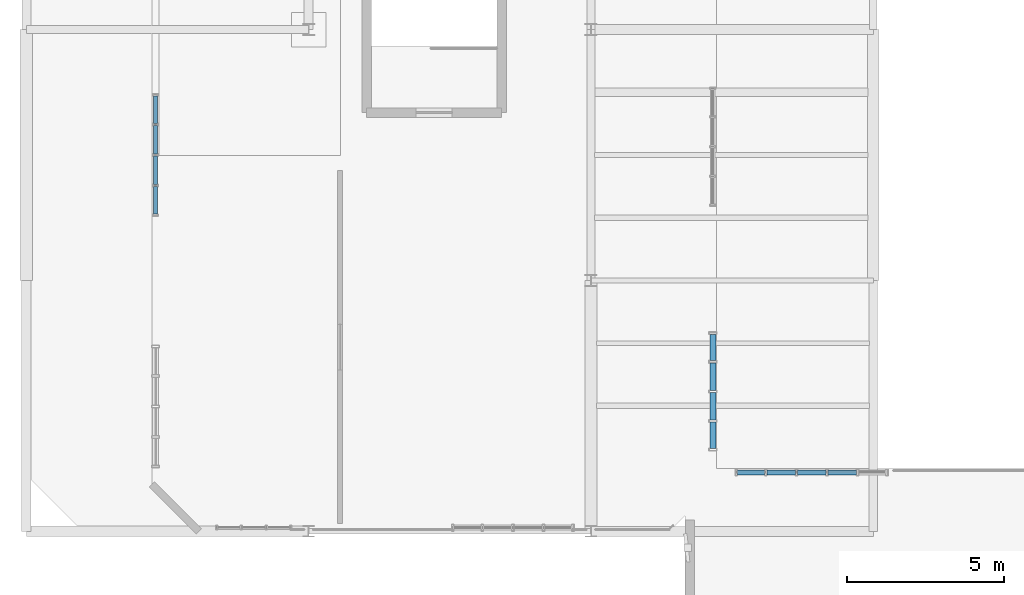
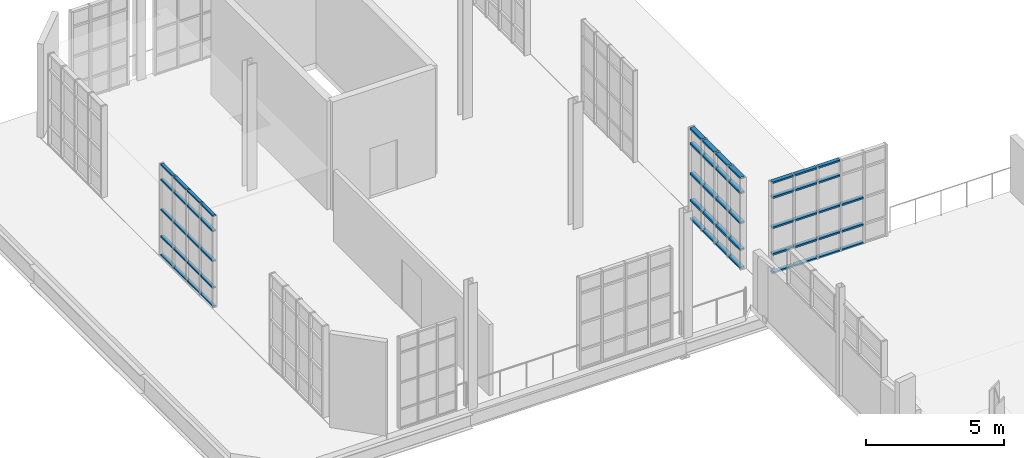
# One storey, part 24 of 36: 58 members, 3 elements without a shape of their own.
"""IFC4 building model written with IfcOpenShell, lengths in metres."""

from ifc_helpers import new_model, si_unit, direction, frame, origin, origin_2d, place, context, subcontext, project, spatial, hollow_rectangle, extrude, material, layer, layer_set, material_profile, profile_set, type_object, element, aggregate, save


model = new_model("IFC4")

# Units and contexts
model_context = context("Model", 3, precision=1e-05, world=origin(), true_north=direction((0.0, 1.0)))
body_context = subcontext(model_context, "Body", "Model", "MODEL_VIEW")
ifc_project = project(units=[si_unit("LENGTHUNIT", "METRE"), si_unit("AREAUNIT", "SQUARE_METRE"), si_unit("VOLUMEUNIT", "CUBIC_METRE"), si_unit("PLANEANGLEUNIT", "RADIAN"), si_unit("MASSUNIT", "GRAM", prefix="KILO"), si_unit("THERMODYNAMICTEMPERATUREUNIT", "KELVIN"), si_unit("POWERUNIT", "WATT")], contexts=[model_context])

# Site, building, storey
site_placement = place(None, origin())
site = spatial("IfcSite", under=ifc_project, at=site_placement, CompositionType="ELEMENT")
building_placement = place(site_placement, origin())
building = spatial("IfcBuilding", under=site, at=building_placement, Name="Zelmaris Science Centre", CompositionType="ELEMENT")
storey_placement = place(building_placement, frame((0.0, 0.0, 25.199951171875)))
storey = spatial("IfcBuildingStorey", under=building, at=storey_placement, Name="L05", CompositionType="ELEMENT", Elevation=25.199951171875)

# Curtain wall, members
ifc_material = material(Name="Anodised architectural aluminium 6063-T6", Category="aluminium")
ifc_layer_1 = layer(ifc_material, 0.2099609375, Name="Anodised architectural aluminium 6063-T6")
ifc_layer_set_1 = layer_set([ifc_layer_1], Name="Anodised architectural aluminium 6063-T6")
curtain_wall_type_1 = type_object("IfcCurtainWallType", Name="Curtain Wall CW-03", PredefinedType="USERDEFINED", material=ifc_layer_set_1)
curtain_wall_1_placement = place(storey_placement, origin())
curtain_wall_1 = element("IfcCurtainWall", 1, at=curtain_wall_1_placement, inside=storey, type_object=curtain_wall_type_1, Name="L05 Unitised curtain wall 379", ObjectType="GLAZED CURTAIN WALL", PredefinedType="USERDEFINED")
ifc_material_profile_1 = material_profile(ifc_material, hollow_rectangle(XDim=0.06494140625, YDim=0.1298828125, WallThickness=0.00341796875, at=origin_2d()), Name="ALU-TRN-65X130")
ifc_profile_set_1 = profile_set([ifc_material_profile_1], Name="Anodised architectural aluminium 6063-T6")
member_type_1 = type_object("IfcMemberType", Name="ALU-TRN-65X130", PredefinedType="USERDEFINED", material=ifc_profile_set_1)
member_1_placement = place(storey_placement, frame((58.1201171875, 74.1123046875, 0.013427734375), z_axis=(0.0, 1.0, 0.0), x_axis=(0.0, 0.0, 1.0)))
member_1 = element("IfcMember", 2, at=member_1_placement, type_object=member_type_1, Name="CW-03 transom 1.1", ObjectType="TRANSOM", PredefinedType="USERDEFINED", context=body_context, shape_type="SweptSolid", body=[
    extrude(hollow_rectangle(XDim=0.06494140625, YDim=0.1298828125, WallThickness=0.00341796875, at=origin_2d()), origin(), (0.0, 0.0, 1.0), 0.886474609375),
])
member_2_placement = place(storey_placement, frame((58.1201171875, 74.1123046875, 0.8349609375), z_axis=(0.0, 1.0, 0.0), x_axis=(0.0, 0.0, 1.0)))
member_2 = element("IfcMember", 3, at=member_2_placement, type_object=member_type_1, Name="CW-03 transom 1.2", ObjectType="TRANSOM", PredefinedType="USERDEFINED", context=body_context, shape_type="SweptSolid", body=[
    extrude(hollow_rectangle(XDim=0.06494140625, YDim=0.1298828125, WallThickness=0.00341796875, at=origin_2d()), origin(), (0.0, 0.0, 1.0), 0.886474609375),
])
member_3_placement = place(storey_placement, frame((58.1201171875, 74.1123046875, 2.012451171875), z_axis=(0.0, 1.0, 0.0), x_axis=(0.0, 0.0, 1.0)))
member_3 = element("IfcMember", 4, at=member_3_placement, type_object=member_type_1, Name="CW-03 transom 1.3", ObjectType="TRANSOM", PredefinedType="USERDEFINED", context=body_context, shape_type="SweptSolid", body=[
    extrude(hollow_rectangle(XDim=0.06494140625, YDim=0.1298828125, WallThickness=0.00341796875, at=origin_2d()), origin(), (0.0, 0.0, 1.0), 0.886474609375),
])
member_4_placement = place(storey_placement, frame((58.1201171875, 74.1123046875, 3.340087890625), z_axis=(0.0, 1.0, 0.0), x_axis=(0.0, 0.0, 1.0)))
member_4 = element("IfcMember", 5, at=member_4_placement, type_object=member_type_1, Name="CW-03 transom 1.4", ObjectType="TRANSOM", PredefinedType="USERDEFINED", context=body_context, shape_type="SweptSolid", body=[
    extrude(hollow_rectangle(XDim=0.06494140625, YDim=0.1298828125, WallThickness=0.00341796875, at=origin_2d()), origin(), (0.0, 0.0, 1.0), 0.886474609375),
])
member_5_placement = place(storey_placement, frame((58.1201171875, 74.1123046875, 4.011474609375), z_axis=(0.0, 1.0, 0.0), x_axis=(0.0, 0.0, 1.0)))
member_5 = element("IfcMember", 6, at=member_5_placement, type_object=member_type_1, Name="CW-03 transom 1.5", ObjectType="TRANSOM", PredefinedType="USERDEFINED", context=body_context, shape_type="SweptSolid", body=[
    extrude(hollow_rectangle(XDim=0.06494140625, YDim=0.1298828125, WallThickness=0.00341796875, at=origin_2d()), origin(), (0.0, 0.0, 1.0), 0.886474609375),
])
member_6_placement = place(storey_placement, frame((58.1201171875, 75.055908203125, 0.013427734375), z_axis=(0.0, 1.0, 0.0), x_axis=(0.0, 0.0, 1.0)))
member_6 = element("IfcMember", 7, at=member_6_placement, type_object=member_type_1, Name="CW-03 transom 2.1", ObjectType="TRANSOM", PredefinedType="USERDEFINED", context=body_context, shape_type="SweptSolid", body=[
    extrude(hollow_rectangle(XDim=0.06494140625, YDim=0.1298828125, WallThickness=0.00341796875, at=origin_2d()), origin(), (0.0, 0.0, 1.0), 0.914794921875),
])
member_7_placement = place(storey_placement, frame((58.1201171875, 75.055908203125, 0.8349609375), z_axis=(0.0, 1.0, 0.0), x_axis=(0.0, 0.0, 1.0)))
member_7 = element("IfcMember", 8, at=member_7_placement, type_object=member_type_1, Name="CW-03 transom 2.2", ObjectType="TRANSOM", PredefinedType="USERDEFINED", context=body_context, shape_type="SweptSolid", body=[
    extrude(hollow_rectangle(XDim=0.06494140625, YDim=0.1298828125, WallThickness=0.00341796875, at=origin_2d()), origin(), (0.0, 0.0, 1.0), 0.914794921875),
])
member_8_placement = place(storey_placement, frame((58.1201171875, 75.055908203125, 2.012451171875), z_axis=(0.0, 1.0, 0.0), x_axis=(0.0, 0.0, 1.0)))
member_8 = element("IfcMember", 9, at=member_8_placement, type_object=member_type_1, Name="CW-03 transom 2.3", ObjectType="TRANSOM", PredefinedType="USERDEFINED", context=body_context, shape_type="SweptSolid", body=[
    extrude(hollow_rectangle(XDim=0.06494140625, YDim=0.1298828125, WallThickness=0.00341796875, at=origin_2d()), origin(), (0.0, 0.0, 1.0), 0.914794921875),
])
member_9_placement = place(storey_placement, frame((58.1201171875, 75.055908203125, 3.340087890625), z_axis=(0.0, 1.0, 0.0), x_axis=(0.0, 0.0, 1.0)))
member_9 = element("IfcMember", 10, at=member_9_placement, type_object=member_type_1, Name="CW-03 transom 2.4", ObjectType="TRANSOM", PredefinedType="USERDEFINED", context=body_context, shape_type="SweptSolid", body=[
    extrude(hollow_rectangle(XDim=0.06494140625, YDim=0.1298828125, WallThickness=0.00341796875, at=origin_2d()), origin(), (0.0, 0.0, 1.0), 0.914794921875),
])
member_10_placement = place(storey_placement, frame((58.1201171875, 75.055908203125, 4.011474609375), z_axis=(0.0, 1.0, 0.0), x_axis=(0.0, 0.0, 1.0)))
member_10 = element("IfcMember", 11, at=member_10_placement, type_object=member_type_1, Name="CW-03 transom 2.5", ObjectType="TRANSOM", PredefinedType="USERDEFINED", context=body_context, shape_type="SweptSolid", body=[
    extrude(hollow_rectangle(XDim=0.06494140625, YDim=0.1298828125, WallThickness=0.00341796875, at=origin_2d()), origin(), (0.0, 0.0, 1.0), 0.914794921875),
])
member_11_placement = place(storey_placement, frame((58.1201171875, 76.02783203125, 0.013427734375), z_axis=(0.0, 1.0, 0.0), x_axis=(0.0, 0.0, 1.0)))
member_11 = element("IfcMember", 12, at=member_11_placement, type_object=member_type_1, Name="CW-03 transom 3.1", ObjectType="TRANSOM", PredefinedType="USERDEFINED", context=body_context, shape_type="SweptSolid", body=[
    extrude(hollow_rectangle(XDim=0.06494140625, YDim=0.1298828125, WallThickness=0.00341796875, at=origin_2d()), origin(), (0.0, 0.0, 1.0), 0.914794921875),
])
member_12_placement = place(storey_placement, frame((58.1201171875, 76.02783203125, 0.8349609375), z_axis=(0.0, 1.0, 0.0), x_axis=(0.0, 0.0, 1.0)))
member_12 = element("IfcMember", 13, at=member_12_placement, type_object=member_type_1, Name="CW-03 transom 3.2", ObjectType="TRANSOM", PredefinedType="USERDEFINED", context=body_context, shape_type="SweptSolid", body=[
    extrude(hollow_rectangle(XDim=0.06494140625, YDim=0.1298828125, WallThickness=0.00341796875, at=origin_2d()), origin(), (0.0, 0.0, 1.0), 0.914794921875),
])
member_13_placement = place(storey_placement, frame((58.1201171875, 76.02783203125, 2.012451171875), z_axis=(0.0, 1.0, 0.0), x_axis=(0.0, 0.0, 1.0)))
member_13 = element("IfcMember", 14, at=member_13_placement, type_object=member_type_1, Name="CW-03 transom 3.3", ObjectType="TRANSOM", PredefinedType="USERDEFINED", context=body_context, shape_type="SweptSolid", body=[
    extrude(hollow_rectangle(XDim=0.06494140625, YDim=0.1298828125, WallThickness=0.00341796875, at=origin_2d()), origin(), (0.0, 0.0, 1.0), 0.914794921875),
])
member_14_placement = place(storey_placement, frame((58.1201171875, 76.02783203125, 3.340087890625), z_axis=(0.0, 1.0, 0.0), x_axis=(0.0, 0.0, 1.0)))
member_14 = element("IfcMember", 15, at=member_14_placement, type_object=member_type_1, Name="CW-03 transom 3.4", ObjectType="TRANSOM", PredefinedType="USERDEFINED", context=body_context, shape_type="SweptSolid", body=[
    extrude(hollow_rectangle(XDim=0.06494140625, YDim=0.1298828125, WallThickness=0.00341796875, at=origin_2d()), origin(), (0.0, 0.0, 1.0), 0.914794921875),
])
member_15_placement = place(storey_placement, frame((58.1201171875, 76.02783203125, 4.011474609375), z_axis=(0.0, 1.0, 0.0), x_axis=(0.0, 0.0, 1.0)))
member_15 = element("IfcMember", 16, at=member_15_placement, type_object=member_type_1, Name="CW-03 transom 3.5", ObjectType="TRANSOM", PredefinedType="USERDEFINED", context=body_context, shape_type="SweptSolid", body=[
    extrude(hollow_rectangle(XDim=0.06494140625, YDim=0.1298828125, WallThickness=0.00341796875, at=origin_2d()), origin(), (0.0, 0.0, 1.0), 0.914794921875),
])
member_16_placement = place(storey_placement, frame((58.1201171875, 76.999755859375, 0.013427734375), z_axis=(0.0, 1.0, 0.0), x_axis=(0.0, 0.0, 1.0)))
member_16 = element("IfcMember", 17, at=member_16_placement, type_object=member_type_1, Name="CW-03 transom 4.1", ObjectType="TRANSOM", PredefinedType="USERDEFINED", context=body_context, shape_type="SweptSolid", body=[
    extrude(hollow_rectangle(XDim=0.06494140625, YDim=0.1298828125, WallThickness=0.00341796875, at=origin_2d()), origin(), (0.0, 0.0, 1.0), 0.88623046875),
])
member_17_placement = place(storey_placement, frame((58.1201171875, 76.999755859375, 0.8349609375), z_axis=(0.0, 1.0, 0.0), x_axis=(0.0, 0.0, 1.0)))
member_17 = element("IfcMember", 18, at=member_17_placement, type_object=member_type_1, Name="CW-03 transom 4.2", ObjectType="TRANSOM", PredefinedType="USERDEFINED", context=body_context, shape_type="SweptSolid", body=[
    extrude(hollow_rectangle(XDim=0.06494140625, YDim=0.1298828125, WallThickness=0.00341796875, at=origin_2d()), origin(), (0.0, 0.0, 1.0), 0.88623046875),
])
member_18_placement = place(storey_placement, frame((58.1201171875, 76.999755859375, 2.012451171875), z_axis=(0.0, 1.0, 0.0), x_axis=(0.0, 0.0, 1.0)))
member_18 = element("IfcMember", 19, at=member_18_placement, type_object=member_type_1, Name="CW-03 transom 4.3", ObjectType="TRANSOM", PredefinedType="USERDEFINED", context=body_context, shape_type="SweptSolid", body=[
    extrude(hollow_rectangle(XDim=0.06494140625, YDim=0.1298828125, WallThickness=0.00341796875, at=origin_2d()), origin(), (0.0, 0.0, 1.0), 0.88623046875),
])
member_19_placement = place(storey_placement, frame((58.1201171875, 76.999755859375, 3.340087890625), z_axis=(0.0, 1.0, 0.0), x_axis=(0.0, 0.0, 1.0)))
member_19 = element("IfcMember", 20, at=member_19_placement, type_object=member_type_1, Name="CW-03 transom 4.4", ObjectType="TRANSOM", PredefinedType="USERDEFINED", context=body_context, shape_type="SweptSolid", body=[
    extrude(hollow_rectangle(XDim=0.06494140625, YDim=0.1298828125, WallThickness=0.00341796875, at=origin_2d()), origin(), (0.0, 0.0, 1.0), 0.88623046875),
])
member_20_placement = place(storey_placement, frame((58.1201171875, 76.999755859375, 4.011474609375), z_axis=(0.0, 1.0, 0.0), x_axis=(0.0, 0.0, 1.0)))
member_20 = element("IfcMember", 21, at=member_20_placement, type_object=member_type_1, Name="CW-03 transom 4.5", ObjectType="TRANSOM", PredefinedType="USERDEFINED", context=body_context, shape_type="SweptSolid", body=[
    extrude(hollow_rectangle(XDim=0.06494140625, YDim=0.1298828125, WallThickness=0.00341796875, at=origin_2d()), origin(), (0.0, 0.0, 1.0), 0.88623046875),
])
aggregate(curtain_wall_1, [member_1, member_2, member_3, member_4, member_5, member_6, member_7, member_8, member_9, member_10, member_11, member_12, member_13, member_14, member_15, member_16, member_17, member_18, member_19, member_20])

ifc_layer_2 = layer(ifc_material, 0.199951171875, Name="Anodised architectural aluminium 6063-T6")
ifc_layer_set_2 = layer_set([ifc_layer_2], Name="Anodised architectural aluminium 6063-T6")
curtain_wall_type_2 = type_object("IfcCurtainWallType", Name="Curtain Wall CW-02", PredefinedType="USERDEFINED", material=ifc_layer_set_2)
curtain_wall_2_placement = place(storey_placement, origin())
curtain_wall_2 = element("IfcCurtainWall", 22, at=curtain_wall_2_placement, inside=storey, type_object=curtain_wall_type_2, Name="L05 Unitised curtain wall 366", ObjectType="GLAZED CURTAIN WALL", PredefinedType="USERDEFINED")
ifc_material_profile_2 = material_profile(ifc_material, hollow_rectangle(XDim=0.074951171875, YDim=0.159912109375, WallThickness=0.00390625, at=origin_2d()), Name="ALU-TRN-75X160")
ifc_profile_set_2 = profile_set([ifc_material_profile_2], Name="Anodised architectural aluminium 6063-T6")
member_type_2 = type_object("IfcMemberType", Name="ALU-TRN-75X160", PredefinedType="USERDEFINED", material=ifc_profile_set_2)
member_21_placement = place(storey_placement, frame((76.6669921875, 65.8798828125, 0.0185546875), z_axis=(1.0, 0.0, 0.0), x_axis=(0.0, 0.0, 1.0)))
member_21 = element("IfcMember", 23, at=member_21_placement, type_object=member_type_2, Name="CW-02 transom 1.1", ObjectType="TRANSOM", PredefinedType="USERDEFINED", context=body_context, shape_type="SweptSolid", body=[
    extrude(hollow_rectangle(XDim=0.074951171875, YDim=0.159912109375, WallThickness=0.00390625, at=origin_2d()), origin(), (0.0, 0.0, 1.0), 0.87353515625),
])
member_22_placement = place(storey_placement, frame((76.6669921875, 65.8798828125, 0.8349609375), z_axis=(1.0, 0.0, 0.0), x_axis=(0.0, 0.0, 1.0)))
member_22 = element("IfcMember", 24, at=member_22_placement, type_object=member_type_2, Name="CW-02 transom 1.2", ObjectType="TRANSOM", PredefinedType="USERDEFINED", context=body_context, shape_type="SweptSolid", body=[
    extrude(hollow_rectangle(XDim=0.074951171875, YDim=0.159912109375, WallThickness=0.00390625, at=origin_2d()), origin(), (0.0, 0.0, 1.0), 0.87353515625),
])
member_23_placement = place(storey_placement, frame((76.6669921875, 65.8798828125, 2.012451171875), z_axis=(1.0, 0.0, 0.0), x_axis=(0.0, 0.0, 1.0)))
member_23 = element("IfcMember", 25, at=member_23_placement, type_object=member_type_2, Name="CW-02 transom 1.3", ObjectType="TRANSOM", PredefinedType="USERDEFINED", context=body_context, shape_type="SweptSolid", body=[
    extrude(hollow_rectangle(XDim=0.074951171875, YDim=0.159912109375, WallThickness=0.00390625, at=origin_2d()), origin(), (0.0, 0.0, 1.0), 0.87353515625),
])
member_24_placement = place(storey_placement, frame((76.6669921875, 65.8798828125, 3.340087890625), z_axis=(1.0, 0.0, 0.0), x_axis=(0.0, 0.0, 1.0)))
member_24 = element("IfcMember", 26, at=member_24_placement, type_object=member_type_2, Name="CW-02 transom 1.4", ObjectType="TRANSOM", PredefinedType="USERDEFINED", context=body_context, shape_type="SweptSolid", body=[
    extrude(hollow_rectangle(XDim=0.074951171875, YDim=0.159912109375, WallThickness=0.00390625, at=origin_2d()), origin(), (0.0, 0.0, 1.0), 0.87353515625),
])
member_25_placement = place(storey_placement, frame((76.6669921875, 65.8798828125, 4.006591796875), z_axis=(1.0, 0.0, 0.0), x_axis=(0.0, 0.0, 1.0)))
member_25 = element("IfcMember", 27, at=member_25_placement, type_object=member_type_2, Name="CW-02 transom 1.5", ObjectType="TRANSOM", PredefinedType="USERDEFINED", context=body_context, shape_type="SweptSolid", body=[
    extrude(hollow_rectangle(XDim=0.074951171875, YDim=0.159912109375, WallThickness=0.00390625, at=origin_2d()), origin(), (0.0, 0.0, 1.0), 0.87353515625),
])
member_26_placement = place(storey_placement, frame((77.607421875, 65.8798828125, 0.0185546875), z_axis=(1.0, 0.0, 0.0), x_axis=(0.0, 0.0, 1.0)))
member_26 = element("IfcMember", 28, at=member_26_placement, type_object=member_type_2, Name="CW-02 transom 2.1", ObjectType="TRANSOM", PredefinedType="USERDEFINED", context=body_context, shape_type="SweptSolid", body=[
    extrude(hollow_rectangle(XDim=0.074951171875, YDim=0.159912109375, WallThickness=0.00390625, at=origin_2d()), origin(), (0.0, 0.0, 1.0), 0.906982421875),
])
member_27_placement = place(storey_placement, frame((77.607421875, 65.8798828125, 0.8349609375), z_axis=(1.0, 0.0, 0.0), x_axis=(0.0, 0.0, 1.0)))
member_27 = element("IfcMember", 29, at=member_27_placement, type_object=member_type_2, Name="CW-02 transom 2.2", ObjectType="TRANSOM", PredefinedType="USERDEFINED", context=body_context, shape_type="SweptSolid", body=[
    extrude(hollow_rectangle(XDim=0.074951171875, YDim=0.159912109375, WallThickness=0.00390625, at=origin_2d()), origin(), (0.0, 0.0, 1.0), 0.906982421875),
])
member_28_placement = place(storey_placement, frame((77.607421875, 65.8798828125, 2.012451171875), z_axis=(1.0, 0.0, 0.0), x_axis=(0.0, 0.0, 1.0)))
member_28 = element("IfcMember", 30, at=member_28_placement, type_object=member_type_2, Name="CW-02 transom 2.3", ObjectType="TRANSOM", PredefinedType="USERDEFINED", context=body_context, shape_type="SweptSolid", body=[
    extrude(hollow_rectangle(XDim=0.074951171875, YDim=0.159912109375, WallThickness=0.00390625, at=origin_2d()), origin(), (0.0, 0.0, 1.0), 0.906982421875),
])
member_29_placement = place(storey_placement, frame((77.607421875, 65.8798828125, 3.340087890625), z_axis=(1.0, 0.0, 0.0), x_axis=(0.0, 0.0, 1.0)))
member_29 = element("IfcMember", 31, at=member_29_placement, type_object=member_type_2, Name="CW-02 transom 2.4", ObjectType="TRANSOM", PredefinedType="USERDEFINED", context=body_context, shape_type="SweptSolid", body=[
    extrude(hollow_rectangle(XDim=0.074951171875, YDim=0.159912109375, WallThickness=0.00390625, at=origin_2d()), origin(), (0.0, 0.0, 1.0), 0.906982421875),
])
member_30_placement = place(storey_placement, frame((77.607421875, 65.8798828125, 4.006591796875), z_axis=(1.0, 0.0, 0.0), x_axis=(0.0, 0.0, 1.0)))
member_30 = element("IfcMember", 32, at=member_30_placement, type_object=member_type_2, Name="CW-02 transom 2.5", ObjectType="TRANSOM", PredefinedType="USERDEFINED", context=body_context, shape_type="SweptSolid", body=[
    extrude(hollow_rectangle(XDim=0.074951171875, YDim=0.159912109375, WallThickness=0.00390625, at=origin_2d()), origin(), (0.0, 0.0, 1.0), 0.906982421875),
])
member_31_placement = place(storey_placement, frame((78.58154296875, 65.8798828125, 0.0185546875), z_axis=(1.0, 0.0, 0.0), x_axis=(0.0, 0.0, 1.0)))
member_31 = element("IfcMember", 33, at=member_31_placement, type_object=member_type_2, Name="CW-02 transom 3.1", ObjectType="TRANSOM", PredefinedType="USERDEFINED", context=body_context, shape_type="SweptSolid", body=[
    extrude(hollow_rectangle(XDim=0.074951171875, YDim=0.159912109375, WallThickness=0.00390625, at=origin_2d()), origin(), (0.0, 0.0, 1.0), 0.906982421875),
])
member_32_placement = place(storey_placement, frame((78.58154296875, 65.8798828125, 0.8349609375), z_axis=(1.0, 0.0, 0.0), x_axis=(0.0, 0.0, 1.0)))
member_32 = element("IfcMember", 34, at=member_32_placement, type_object=member_type_2, Name="CW-02 transom 3.2", ObjectType="TRANSOM", PredefinedType="USERDEFINED", context=body_context, shape_type="SweptSolid", body=[
    extrude(hollow_rectangle(XDim=0.074951171875, YDim=0.159912109375, WallThickness=0.00390625, at=origin_2d()), origin(), (0.0, 0.0, 1.0), 0.906982421875),
])
member_33_placement = place(storey_placement, frame((78.58154296875, 65.8798828125, 2.012451171875), z_axis=(1.0, 0.0, 0.0), x_axis=(0.0, 0.0, 1.0)))
member_33 = element("IfcMember", 35, at=member_33_placement, type_object=member_type_2, Name="CW-02 transom 3.3", ObjectType="TRANSOM", PredefinedType="USERDEFINED", context=body_context, shape_type="SweptSolid", body=[
    extrude(hollow_rectangle(XDim=0.074951171875, YDim=0.159912109375, WallThickness=0.00390625, at=origin_2d()), origin(), (0.0, 0.0, 1.0), 0.906982421875),
])
member_34_placement = place(storey_placement, frame((78.58154296875, 65.8798828125, 3.340087890625), z_axis=(1.0, 0.0, 0.0), x_axis=(0.0, 0.0, 1.0)))
member_34 = element("IfcMember", 36, at=member_34_placement, type_object=member_type_2, Name="CW-02 transom 3.4", ObjectType="TRANSOM", PredefinedType="USERDEFINED", context=body_context, shape_type="SweptSolid", body=[
    extrude(hollow_rectangle(XDim=0.074951171875, YDim=0.159912109375, WallThickness=0.00390625, at=origin_2d()), origin(), (0.0, 0.0, 1.0), 0.906982421875),
])
member_35_placement = place(storey_placement, frame((78.58154296875, 65.8798828125, 4.006591796875), z_axis=(1.0, 0.0, 0.0), x_axis=(0.0, 0.0, 1.0)))
member_35 = element("IfcMember", 37, at=member_35_placement, type_object=member_type_2, Name="CW-02 transom 3.5", ObjectType="TRANSOM", PredefinedType="USERDEFINED", context=body_context, shape_type="SweptSolid", body=[
    extrude(hollow_rectangle(XDim=0.074951171875, YDim=0.159912109375, WallThickness=0.00390625, at=origin_2d()), origin(), (0.0, 0.0, 1.0), 0.906982421875),
])
member_36_placement = place(storey_placement, frame((79.555419921875, 65.8798828125, 0.0185546875), z_axis=(1.0, 0.0, 0.0), x_axis=(0.0, 0.0, 1.0)))
member_36 = element("IfcMember", 38, at=member_36_placement, type_object=member_type_2, Name="CW-02 transom 4.1", ObjectType="TRANSOM", PredefinedType="USERDEFINED", context=body_context, shape_type="SweptSolid", body=[
    extrude(hollow_rectangle(XDim=0.074951171875, YDim=0.159912109375, WallThickness=0.00390625, at=origin_2d()), origin(), (0.0, 0.0, 1.0), 0.906982421875),
])
member_37_placement = place(storey_placement, frame((79.555419921875, 65.8798828125, 0.8349609375), z_axis=(1.0, 0.0, 0.0), x_axis=(0.0, 0.0, 1.0)))
member_37 = element("IfcMember", 39, at=member_37_placement, type_object=member_type_2, Name="CW-02 transom 4.2", ObjectType="TRANSOM", PredefinedType="USERDEFINED", context=body_context, shape_type="SweptSolid", body=[
    extrude(hollow_rectangle(XDim=0.074951171875, YDim=0.159912109375, WallThickness=0.00390625, at=origin_2d()), origin(), (0.0, 0.0, 1.0), 0.906982421875),
])
member_38_placement = place(storey_placement, frame((79.555419921875, 65.8798828125, 2.012451171875), z_axis=(1.0, 0.0, 0.0), x_axis=(0.0, 0.0, 1.0)))
member_38 = element("IfcMember", 40, at=member_38_placement, type_object=member_type_2, Name="CW-02 transom 4.3", ObjectType="TRANSOM", PredefinedType="USERDEFINED", context=body_context, shape_type="SweptSolid", body=[
    extrude(hollow_rectangle(XDim=0.074951171875, YDim=0.159912109375, WallThickness=0.00390625, at=origin_2d()), origin(), (0.0, 0.0, 1.0), 0.906982421875),
])
aggregate(curtain_wall_2, [member_21, member_22, member_23, member_24, member_25, member_26, member_27, member_28, member_29, member_30, member_31, member_32, member_33, member_34, member_35, member_36, member_37, member_38])

ifc_layer_3 = layer(ifc_material, 0.18994140625, Name="Anodised architectural aluminium 6063-T6")
ifc_layer_set_3 = layer_set([ifc_layer_3], Name="Anodised architectural aluminium 6063-T6")
curtain_wall_type_3 = type_object("IfcCurtainWallType", Name="Curtain Wall CW-01", PredefinedType="USERDEFINED", material=ifc_layer_set_3)
curtain_wall_3_placement = place(storey_placement, origin())
curtain_wall_3 = element("IfcCurtainWall", 41, at=curtain_wall_3_placement, inside=storey, type_object=curtain_wall_type_3, Name="L05 Unitised curtain wall 365", ObjectType="GLAZED CURTAIN WALL", PredefinedType="USERDEFINED")
ifc_material_profile_3 = material_profile(ifc_material, hollow_rectangle(XDim=0.080078125, YDim=0.18994140625, WallThickness=0.00439453125, at=origin_2d()), Name="ALU-TRN-80X190")
ifc_profile_set_3 = profile_set([ifc_material_profile_3], Name="Anodised architectural aluminium 6063-T6")
member_type_3 = type_object("IfcMemberType", Name="ALU-TRN-80X190", PredefinedType="USERDEFINED", material=ifc_profile_set_3)
member_39_placement = place(storey_placement, frame((75.885498046875, 70.281494140625, 0.02099609375), z_axis=(0.000291545177, -0.999999957501, 0.0), x_axis=(0.0, 0.0, 1.0)))
member_39 = element("IfcMember", 42, at=member_39_placement, type_object=member_type_3, Name="CW-01 transom 1.1", ObjectType="TRANSOM", PredefinedType="USERDEFINED", context=body_context, shape_type="SweptSolid", body=[
    extrude(hollow_rectangle(XDim=0.080078125, YDim=0.18994140625, WallThickness=0.00439453125, at=origin_2d()), origin(), (0.0, 0.0, 1.0), 0.83740234375),
])
member_40_placement = place(storey_placement, frame((75.885498046875, 70.281494140625, 0.8349609375), z_axis=(0.000291545177, -0.999999957501, 0.0), x_axis=(0.0, 0.0, 1.0)))
member_40 = element("IfcMember", 43, at=member_40_placement, type_object=member_type_3, Name="CW-01 transom 1.2", ObjectType="TRANSOM", PredefinedType="USERDEFINED", context=body_context, shape_type="SweptSolid", body=[
    extrude(hollow_rectangle(XDim=0.080078125, YDim=0.18994140625, WallThickness=0.00439453125, at=origin_2d()), origin(), (0.0, 0.0, 1.0), 0.83740234375),
])
member_41_placement = place(storey_placement, frame((75.885498046875, 70.281494140625, 2.012451171875), z_axis=(0.000291545177, -0.999999957501, 0.0), x_axis=(0.0, 0.0, 1.0)))
member_41 = element("IfcMember", 44, at=member_41_placement, type_object=member_type_3, Name="CW-01 transom 1.3", ObjectType="TRANSOM", PredefinedType="USERDEFINED", context=body_context, shape_type="SweptSolid", body=[
    extrude(hollow_rectangle(XDim=0.080078125, YDim=0.18994140625, WallThickness=0.00439453125, at=origin_2d()), origin(), (0.0, 0.0, 1.0), 0.83740234375),
])
member_42_placement = place(storey_placement, frame((75.885498046875, 70.281494140625, 3.340087890625), z_axis=(0.000291545177, -0.999999957501, 0.0), x_axis=(0.0, 0.0, 1.0)))
member_42 = element("IfcMember", 45, at=member_42_placement, type_object=member_type_3, Name="CW-01 transom 1.4", ObjectType="TRANSOM", PredefinedType="USERDEFINED", context=body_context, shape_type="SweptSolid", body=[
    extrude(hollow_rectangle(XDim=0.080078125, YDim=0.18994140625, WallThickness=0.00439453125, at=origin_2d()), origin(), (0.0, 0.0, 1.0), 0.83740234375),
])
member_43_placement = place(storey_placement, frame((75.885498046875, 70.281494140625, 4.004150390625), z_axis=(0.000291545177, -0.999999957501, 0.0), x_axis=(0.0, 0.0, 1.0)))
member_43 = element("IfcMember", 46, at=member_43_placement, type_object=member_type_3, Name="CW-01 transom 1.5", ObjectType="TRANSOM", PredefinedType="USERDEFINED", context=body_context, shape_type="SweptSolid", body=[
    extrude(hollow_rectangle(XDim=0.080078125, YDim=0.18994140625, WallThickness=0.00439453125, at=origin_2d()), origin(), (0.0, 0.0, 1.0), 0.83740234375),
])
member_44_placement = place(storey_placement, frame((75.8857421875, 69.3720703125, 0.02099609375), z_axis=(0.000558971405, -0.999999843775, 0.0), x_axis=(0.0, 0.0, 1.0)))
member_44 = element("IfcMember", 47, at=member_44_placement, type_object=member_type_3, Name="CW-01 transom 2.1", ObjectType="TRANSOM", PredefinedType="USERDEFINED", context=body_context, shape_type="SweptSolid", body=[
    extrude(hollow_rectangle(XDim=0.080078125, YDim=0.18994140625, WallThickness=0.00439453125, at=origin_2d()), origin(), (0.0, 0.0, 1.0), 0.87353515625),
])
member_45_placement = place(storey_placement, frame((75.8857421875, 69.3720703125, 0.8349609375), z_axis=(0.000558971405, -0.999999843775, 0.0), x_axis=(0.0, 0.0, 1.0)))
member_45 = element("IfcMember", 48, at=member_45_placement, type_object=member_type_3, Name="CW-01 transom 2.2", ObjectType="TRANSOM", PredefinedType="USERDEFINED", context=body_context, shape_type="SweptSolid", body=[
    extrude(hollow_rectangle(XDim=0.080078125, YDim=0.18994140625, WallThickness=0.00439453125, at=origin_2d()), origin(), (0.0, 0.0, 1.0), 0.87353515625),
])
member_46_placement = place(storey_placement, frame((75.8857421875, 69.3720703125, 2.012451171875), z_axis=(0.000558971405, -0.999999843775, 0.0), x_axis=(0.0, 0.0, 1.0)))
member_46 = element("IfcMember", 49, at=member_46_placement, type_object=member_type_3, Name="CW-01 transom 2.3", ObjectType="TRANSOM", PredefinedType="USERDEFINED", context=body_context, shape_type="SweptSolid", body=[
    extrude(hollow_rectangle(XDim=0.080078125, YDim=0.18994140625, WallThickness=0.00439453125, at=origin_2d()), origin(), (0.0, 0.0, 1.0), 0.87353515625),
])
member_47_placement = place(storey_placement, frame((75.8857421875, 69.3720703125, 3.340087890625), z_axis=(0.000558971405, -0.999999843775, 0.0), x_axis=(0.0, 0.0, 1.0)))
member_47 = element("IfcMember", 50, at=member_47_placement, type_object=member_type_3, Name="CW-01 transom 2.4", ObjectType="TRANSOM", PredefinedType="USERDEFINED", context=body_context, shape_type="SweptSolid", body=[
    extrude(hollow_rectangle(XDim=0.080078125, YDim=0.18994140625, WallThickness=0.00439453125, at=origin_2d()), origin(), (0.0, 0.0, 1.0), 0.87353515625),
])
member_48_placement = place(storey_placement, frame((75.8857421875, 69.3720703125, 4.004150390625), z_axis=(0.000558971405, -0.999999843775, 0.0), x_axis=(0.0, 0.0, 1.0)))
member_48 = element("IfcMember", 51, at=member_48_placement, type_object=member_type_3, Name="CW-01 transom 2.5", ObjectType="TRANSOM", PredefinedType="USERDEFINED", context=body_context, shape_type="SweptSolid", body=[
    extrude(hollow_rectangle(XDim=0.080078125, YDim=0.18994140625, WallThickness=0.00439453125, at=origin_2d()), origin(), (0.0, 0.0, 1.0), 0.87353515625),
])
member_49_placement = place(storey_placement, frame((75.88623046875, 68.4267578125, 0.02099609375), z_axis=(0.000279485735, -0.999999960944, 0.0), x_axis=(0.0, 0.0, 1.0)))
member_49 = element("IfcMember", 52, at=member_49_placement, type_object=member_type_3, Name="CW-01 transom 3.1", ObjectType="TRANSOM", PredefinedType="USERDEFINED", context=body_context, shape_type="SweptSolid", body=[
    extrude(hollow_rectangle(XDim=0.080078125, YDim=0.18994140625, WallThickness=0.00439453125, at=origin_2d()), origin(), (0.0, 0.0, 1.0), 0.87353515625),
])
member_50_placement = place(storey_placement, frame((75.88623046875, 68.4267578125, 0.8349609375), z_axis=(0.000279485735, -0.999999960944, 0.0), x_axis=(0.0, 0.0, 1.0)))
member_50 = element("IfcMember", 53, at=member_50_placement, type_object=member_type_3, Name="CW-01 transom 3.2", ObjectType="TRANSOM", PredefinedType="USERDEFINED", context=body_context, shape_type="SweptSolid", body=[
    extrude(hollow_rectangle(XDim=0.080078125, YDim=0.18994140625, WallThickness=0.00439453125, at=origin_2d()), origin(), (0.0, 0.0, 1.0), 0.87353515625),
])
member_51_placement = place(storey_placement, frame((75.88623046875, 68.4267578125, 2.012451171875), z_axis=(0.000279485735, -0.999999960944, 0.0), x_axis=(0.0, 0.0, 1.0)))
member_51 = element("IfcMember", 54, at=member_51_placement, type_object=member_type_3, Name="CW-01 transom 3.3", ObjectType="TRANSOM", PredefinedType="USERDEFINED", context=body_context, shape_type="SweptSolid", body=[
    extrude(hollow_rectangle(XDim=0.080078125, YDim=0.18994140625, WallThickness=0.00439453125, at=origin_2d()), origin(), (0.0, 0.0, 1.0), 0.87353515625),
])
member_52_placement = place(storey_placement, frame((75.88623046875, 68.4267578125, 3.340087890625), z_axis=(0.000279485735, -0.999999960944, 0.0), x_axis=(0.0, 0.0, 1.0)))
member_52 = element("IfcMember", 55, at=member_52_placement, type_object=member_type_3, Name="CW-01 transom 3.4", ObjectType="TRANSOM", PredefinedType="USERDEFINED", context=body_context, shape_type="SweptSolid", body=[
    extrude(hollow_rectangle(XDim=0.080078125, YDim=0.18994140625, WallThickness=0.00439453125, at=origin_2d()), origin(), (0.0, 0.0, 1.0), 0.87353515625),
])
member_53_placement = place(storey_placement, frame((75.88623046875, 68.4267578125, 4.004150390625), z_axis=(0.000279485735, -0.999999960944, 0.0), x_axis=(0.0, 0.0, 1.0)))
member_53 = element("IfcMember", 56, at=member_53_placement, type_object=member_type_3, Name="CW-01 transom 3.5", ObjectType="TRANSOM", PredefinedType="USERDEFINED", context=body_context, shape_type="SweptSolid", body=[
    extrude(hollow_rectangle(XDim=0.080078125, YDim=0.18994140625, WallThickness=0.00439453125, at=origin_2d()), origin(), (0.0, 0.0, 1.0), 0.87353515625),
])
member_54_placement = place(storey_placement, frame((75.886474609375, 67.481201171875, 0.02099609375), z_axis=(0.00058309028, -0.999999830003, 0.0), x_axis=(0.0, 0.0, 1.0)))
member_54 = element("IfcMember", 57, at=member_54_placement, type_object=member_type_3, Name="CW-01 transom 4.1", ObjectType="TRANSOM", PredefinedType="USERDEFINED", context=body_context, shape_type="SweptSolid", body=[
    extrude(hollow_rectangle(XDim=0.080078125, YDim=0.18994140625, WallThickness=0.00439453125, at=origin_2d()), origin(), (0.0, 0.0, 1.0), 0.83740234375),
])
member_55_placement = place(storey_placement, frame((75.886474609375, 67.481201171875, 0.8349609375), z_axis=(0.00058309028, -0.999999830003, 0.0), x_axis=(0.0, 0.0, 1.0)))
member_55 = element("IfcMember", 58, at=member_55_placement, type_object=member_type_3, Name="CW-01 transom 4.2", ObjectType="TRANSOM", PredefinedType="USERDEFINED", context=body_context, shape_type="SweptSolid", body=[
    extrude(hollow_rectangle(XDim=0.080078125, YDim=0.18994140625, WallThickness=0.00439453125, at=origin_2d()), origin(), (0.0, 0.0, 1.0), 0.83740234375),
])
member_56_placement = place(storey_placement, frame((75.886474609375, 67.481201171875, 2.012451171875), z_axis=(0.00058309028, -0.999999830003, 0.0), x_axis=(0.0, 0.0, 1.0)))
member_56 = element("IfcMember", 59, at=member_56_placement, type_object=member_type_3, Name="CW-01 transom 4.3", ObjectType="TRANSOM", PredefinedType="USERDEFINED", context=body_context, shape_type="SweptSolid", body=[
    extrude(hollow_rectangle(XDim=0.080078125, YDim=0.18994140625, WallThickness=0.00439453125, at=origin_2d()), origin(), (0.0, 0.0, 1.0), 0.83740234375),
])
member_57_placement = place(storey_placement, frame((75.886474609375, 67.481201171875, 3.340087890625), z_axis=(0.00058309028, -0.999999830003, 0.0), x_axis=(0.0, 0.0, 1.0)))
member_57 = element("IfcMember", 60, at=member_57_placement, type_object=member_type_3, Name="CW-01 transom 4.4", ObjectType="TRANSOM", PredefinedType="USERDEFINED", context=body_context, shape_type="SweptSolid", body=[
    extrude(hollow_rectangle(XDim=0.080078125, YDim=0.18994140625, WallThickness=0.00439453125, at=origin_2d()), origin(), (0.0, 0.0, 1.0), 0.83740234375),
])
member_58_placement = place(storey_placement, frame((75.886474609375, 67.481201171875, 4.004150390625), z_axis=(0.00058309028, -0.999999830003, 0.0), x_axis=(0.0, 0.0, 1.0)))
member_58 = element("IfcMember", 61, at=member_58_placement, type_object=member_type_3, Name="CW-01 transom 4.5", ObjectType="TRANSOM", PredefinedType="USERDEFINED", context=body_context, shape_type="SweptSolid", body=[
    extrude(hollow_rectangle(XDim=0.080078125, YDim=0.18994140625, WallThickness=0.00439453125, at=origin_2d()), origin(), (0.0, 0.0, 1.0), 0.83740234375),
])
aggregate(curtain_wall_3, [member_39, member_40, member_41, member_42, member_43, member_44, member_45, member_46, member_47, member_48, member_49, member_50, member_51, member_52, member_53, member_54, member_55, member_56, member_57, member_58])

save(model, "model.ifc")
